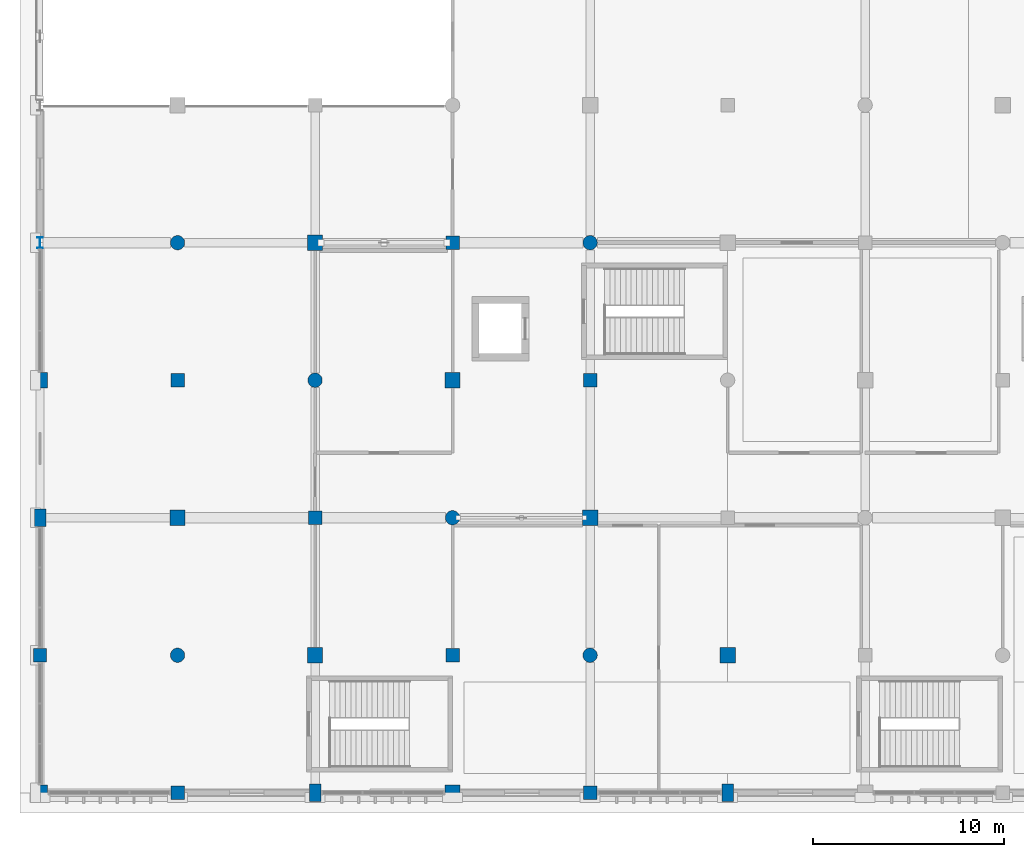
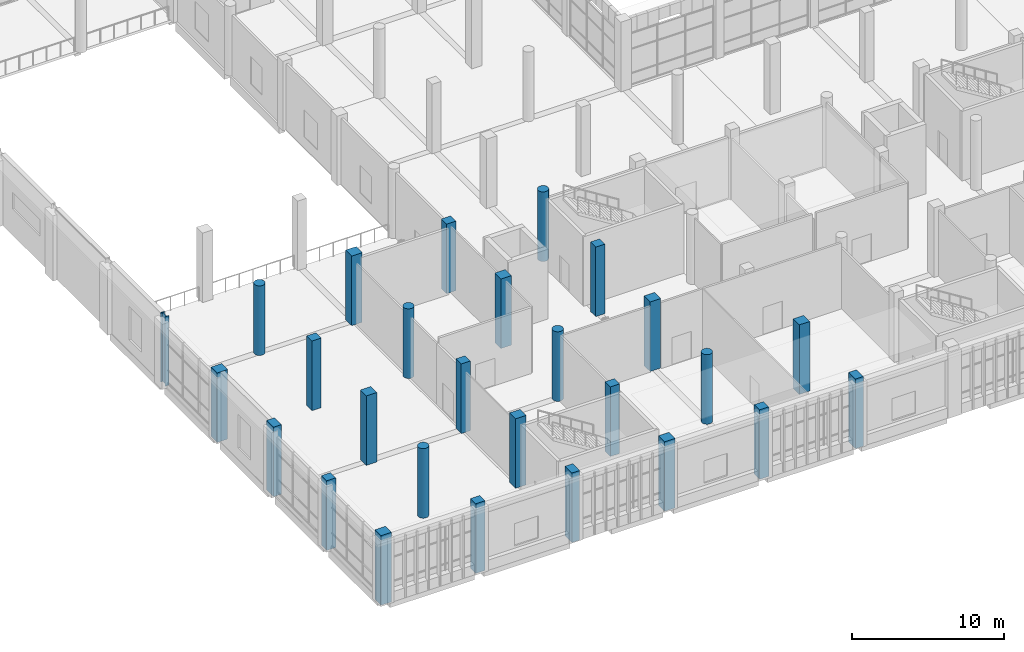
# One storey, part 1 of 80: 27 columns.
"""IFC4 building model written with IfcOpenShell, lengths in metres."""

from ifc_helpers import new_model, si_unit, direction, frame, origin, origin_2d, place, context, subcontext, project, spatial, rectangle, circle, i_section, extrude, material, material_profile, profile_set, type_object, element, save


model = new_model("IFC4")

# Units and contexts
model_context = context("Model", 3, precision=1e-05, world=origin(), true_north=direction((0.0, 1.0)))
body_context = subcontext(model_context, "Body", "Model", "MODEL_VIEW")
ifc_project = project(units=[si_unit("LENGTHUNIT", "METRE"), si_unit("AREAUNIT", "SQUARE_METRE"), si_unit("VOLUMEUNIT", "CUBIC_METRE"), si_unit("PLANEANGLEUNIT", "RADIAN"), si_unit("MASSUNIT", "GRAM", prefix="KILO")], contexts=[model_context])

# Site, building, storey
site_placement = place(None, origin())
site = spatial("IfcSite", under=ifc_project, at=site_placement, CompositionType="ELEMENT")
building_placement = place(site_placement, origin())
building = spatial("IfcBuilding", under=site, at=building_placement, Name="Sardonyx Promenade Sports Hall", CompositionType="ELEMENT")
storey_placement = place(building_placement, frame((0.0, 0.0, 5.60009765625)))
storey = spatial("IfcBuildingStorey", under=building, at=storey_placement, Name="L01", CompositionType="ELEMENT", Elevation=5.60009765625)

# Columns
ifc_material_1 = material(Name="Steel S355JR", Category="steel")
ifc_material_profile_1 = material_profile(ifc_material_1, i_section(OverallWidth=0.300048828125, OverallDepth=0.590087890625, WebThickness=0.012939453125, FlangeThickness=0.02490234375, at=origin_2d()))
ifc_profile_set_1 = profile_set([ifc_material_profile_1], Name="Steel S355JR")
column_type_1 = type_object("IfcColumnType", Name="Col_Ext_HEA600", PredefinedType="COLUMN", material=ifc_profile_set_1)
column_placement = place(storey_placement, frame((0.0, 28.800048828125, 0.0), z_axis=(0.0, 0.0, 1.0), x_axis=(1.0, 0.0, 0.0)))
element("IfcColumn", 1, at=column_placement, inside=storey, type_object=column_type_1, Name="Column CE01 L01 (0.0,28.8)", PredefinedType="COLUMN", context=body_context, shape_type="SweptSolid", body=[
    extrude(i_section(OverallWidth=0.300048828125, OverallDepth=0.590087890625, WebThickness=0.012939453125, FlangeThickness=0.02490234375, at=origin_2d()), origin(), (0.0, 0.0, 1.0), 5.599853515625),
])
ifc_material_2 = material(Name="Concrete C40/50", Category="concrete")
ifc_material_profile_2 = material_profile(ifc_material_2, rectangle(XDim=0.60009765625, YDim=0.89990234375, at=origin_2d()))
ifc_profile_set_2 = profile_set([ifc_material_profile_2], Name="Concrete C40/50")
column_type_2 = type_object("IfcColumnType", Name="Col_Ext_RC600x900", PredefinedType="COLUMN", material=ifc_profile_set_2)
for number, where, z_axis, x_axis, name in (
    (2, (0.0, 14.39990234375, 0.0), (0.0, 0.0, 1.0), (1.0, 0.0, 0.0), "Column CE12 L01 (0.0,14.4)"),
    (3, (14.39990234375, 0.0, 0.0), (0.0, 0.0, 1.0), (1.0, 0.0, 0.0), "Column CE12 L01 (14.4,0.0)"),
    (4, (36.0, 0.0, 0.0), (0.0, 0.0, 1.0), (1.0, 0.0, 0.0), "Column CE12 L01 (36.0,0.0)"),
):
    element("IfcColumn", number, at=place(storey_placement, frame(where, z_axis=z_axis, x_axis=x_axis)), inside=storey, type_object=column_type_2, Name=name, PredefinedType="COLUMN", context=body_context, shape_type="SweptSolid", body=[
        extrude(rectangle(XDim=0.60009765625, YDim=0.89990234375, at=origin_2d()), origin(), (0.0, 0.0, 1.0), 5.599853515625),
    ])
ifc_material_3 = material(Name="Concrete C40/50", Category="concrete")
ifc_material_profile_3 = material_profile(ifc_material_3, rectangle(XDim=0.699951171875, YDim=0.699951171875, at=origin_2d()))
ifc_profile_set_3 = profile_set([ifc_material_profile_3], Name="Concrete C40/50")
column_type_3 = type_object("IfcColumnType", Name="Col_Ext_RC700", PredefinedType="COLUMN", material=ifc_profile_set_3)
for number, where, z_axis, x_axis, name in (
    (5, (0.0, 7.199951171875, 0.0), (0.0, 0.0, 1.0), (1.0, 0.0, 0.0), "Column CE05 L01 (0.0,7.2)"),
    (6, (7.199951171875, 0.0, 0.0), (0.0, 0.0, 1.0), (1.0, 0.0, 0.0), "Column CE05 L01 (7.2,0.0)"),
    (7, (28.800048828125, 0.0, 0.0), (0.0, 0.0, 1.0), (1.0, 0.0, 0.0), "Column CE05 L01 (28.8,0.0)"),
):
    element("IfcColumn", number, at=place(storey_placement, frame(where, z_axis=z_axis, x_axis=x_axis)), inside=storey, type_object=column_type_3, Name=name, PredefinedType="COLUMN", context=body_context, shape_type="SweptSolid", body=[
        extrude(rectangle(XDim=0.699951171875, YDim=0.699951171875, at=origin_2d()), origin(), (0.0, 0.0, 1.0), 5.599853515625),
    ])
ifc_material_4 = material(Name="Concrete C50/60", Category="concrete")
ifc_material_profile_4 = material_profile(ifc_material_4, rectangle(XDim=0.800048828125, YDim=0.800048828125, at=origin_2d()))
ifc_profile_set_4 = profile_set([ifc_material_profile_4], Name="Concrete C50/60")
column_type_4 = type_object("IfcColumnType", Name="Col_Ext_RC800", PredefinedType="COLUMN", material=ifc_profile_set_4)
for number, where, z_axis, x_axis, name in (
    (8, (0.0, 0.0, 0.0), (0.0, 0.0, 1.0), (1.0, 0.0, 0.0), "Column CE13 L01 (0.0,0.0)"),
    (9, (0.0, 21.60009765625, 0.0), (0.0, 0.0, 1.0), (1.0, 0.0, 0.0), "Column CE13 L01 (0.0,21.6)"),
    (10, (21.60009765625, 0.0, 0.0), (0.0, 0.0, 1.0), (1.0, 0.0, 0.0), "Column CE13 L01 (21.6,0.0)"),
):
    element("IfcColumn", number, at=place(storey_placement, frame(where, z_axis=z_axis, x_axis=x_axis)), inside=storey, type_object=column_type_4, Name=name, PredefinedType="COLUMN", context=body_context, shape_type="SweptSolid", body=[
        extrude(rectangle(XDim=0.800048828125, YDim=0.800048828125, at=origin_2d()), origin(), (0.0, 0.0, 1.0), 5.599853515625),
    ])
ifc_material_5 = material(Name="Concrete C50/60", Category="concrete")
ifc_material_profile_5 = material_profile(ifc_material_5, rectangle(XDim=0.699951171875, YDim=0.699951171875, at=origin_2d()))
ifc_profile_set_5 = profile_set([ifc_material_profile_5], Name="Concrete C50/60")
column_type_5 = type_object("IfcColumnType", Name="Col_Int_RC700", PredefinedType="COLUMN", material=ifc_profile_set_5)
for number, where, z_axis, x_axis, name in (
    (11, (7.199951171875, 21.60009765625, 0.0), (0.0, 0.0, 1.0), (1.0, 0.0, 0.0), "Column CI03 L01 (7.2,21.6)"),
    (12, (14.39990234375, 14.39990234375, 0.0), (0.0, 0.0, 1.0), (1.0, 0.0, 0.0), "Column CI03 L01 (14.4,14.4)"),
    (13, (21.60009765625, 7.199951171875, 0.0), (0.0, 0.0, 1.0), (1.0, 0.0, 0.0), "Column CI03 L01 (21.6,7.2)"),
    (14, (21.60009765625, 28.800048828125, 0.0), (0.0, 0.0, 1.0), (1.0, 0.0, 0.0), "Column CI03 L01 (21.6,28.8)"),
    (15, (28.800048828125, 21.60009765625, 0.0), (0.0, 0.0, 1.0), (1.0, 0.0, 0.0), "Column CI03 L01 (28.8,21.6)"),
):
    element("IfcColumn", number, at=place(storey_placement, frame(where, z_axis=z_axis, x_axis=x_axis)), inside=storey, type_object=column_type_5, Name=name, PredefinedType="COLUMN", context=body_context, shape_type="SweptSolid", body=[
        extrude(rectangle(XDim=0.699951171875, YDim=0.699951171875, at=origin_2d()), origin(), (0.0, 0.0, 1.0), 5.599853515625),
    ])
ifc_material_6 = material(Name="Concrete C50/60", Category="concrete")
ifc_material_profile_6 = material_profile(ifc_material_6, rectangle(XDim=0.800048828125, YDim=0.800048828125, at=origin_2d()))
ifc_profile_set_6 = profile_set([ifc_material_profile_6], Name="Concrete C50/60")
column_type_6 = type_object("IfcColumnType", Name="Col_Int_RC800", PredefinedType="COLUMN", material=ifc_profile_set_6)
for number, where, z_axis, x_axis, name in (
    (16, (7.199951171875, 14.39990234375, 0.0), (0.0, 0.0, 1.0), (1.0, 0.0, 0.0), "Column CI01 L01 (7.2,14.4)"),
    (17, (14.39990234375, 7.199951171875, 0.0), (0.0, 0.0, 1.0), (1.0, 0.0, 0.0), "Column CI01 L01 (14.4,7.2)"),
    (18, (14.39990234375, 28.800048828125, 0.0), (0.0, 0.0, 1.0), (1.0, 0.0, 0.0), "Column CI01 L01 (14.4,28.8)"),
    (19, (21.60009765625, 21.60009765625, 0.0), (0.0, 0.0, 1.0), (1.0, 0.0, 0.0), "Column CI01 L01 (21.6,21.6)"),
    (20, (28.800048828125, 14.39990234375, 0.0), (0.0, 0.0, 1.0), (1.0, 0.0, 0.0), "Column CI01 L01 (28.8,14.4)"),
    (21, (36.0, 7.199951171875, 0.0), (0.0, 0.0, 1.0), (1.0, 0.0, 0.0), "Column CI01 L01 (36.0,7.2)"),
):
    element("IfcColumn", number, at=place(storey_placement, frame(where, z_axis=z_axis, x_axis=x_axis)), inside=storey, type_object=column_type_6, Name=name, PredefinedType="COLUMN", context=body_context, shape_type="SweptSolid", body=[
        extrude(rectangle(XDim=0.800048828125, YDim=0.800048828125, at=origin_2d()), origin(), (0.0, 0.0, 1.0), 5.599853515625),
    ])
ifc_material_7 = material(Name="Concrete C50/60", Category="concrete")
ifc_material_profile_7 = material_profile(ifc_material_7, circle(Radius=0.375, at=origin_2d()))
ifc_profile_set_7 = profile_set([ifc_material_profile_7], Name="Concrete C50/60")
column_type_7 = type_object("IfcColumnType", Name="Col_Int_RCD750", PredefinedType="COLUMN", material=ifc_profile_set_7)
for number, where, z_axis, x_axis, name in (
    (22, (7.199951171875, 7.199951171875, 0.0), (0.0, 0.0, 1.0), (1.0, 0.0, 0.0), "Column CI07 L01 (7.2,7.2)"),
    (23, (7.199951171875, 28.800048828125, 0.0), (0.0, 0.0, 1.0), (1.0, 0.0, 0.0), "Column CI07 L01 (7.2,28.8)"),
    (24, (14.39990234375, 21.60009765625, 0.0), (0.0, 0.0, 1.0), (1.0, 0.0, 0.0), "Column CI07 L01 (14.4,21.6)"),
    (25, (21.60009765625, 14.39990234375, 0.0), (0.0, 0.0, 1.0), (1.0, 0.0, 0.0), "Column CI07 L01 (21.6,14.4)"),
    (26, (28.800048828125, 7.199951171875, 0.0), (0.0, 0.0, 1.0), (1.0, 0.0, 0.0), "Column CI07 L01 (28.8,7.2)"),
    (27, (28.800048828125, 28.800048828125, 0.0), (0.0, 0.0, 1.0), (1.0, 0.0, 0.0), "Column CI07 L01 (28.8,28.8)"),
):
    element("IfcColumn", number, at=place(storey_placement, frame(where, z_axis=z_axis, x_axis=x_axis)), inside=storey, type_object=column_type_7, Name=name, PredefinedType="COLUMN", context=body_context, shape_type="SweptSolid", body=[
        extrude(circle(Radius=0.375, at=origin_2d()), origin(), (0.0, 0.0, 1.0), 5.599853515625),
    ])

save(model, "model.ifc")
